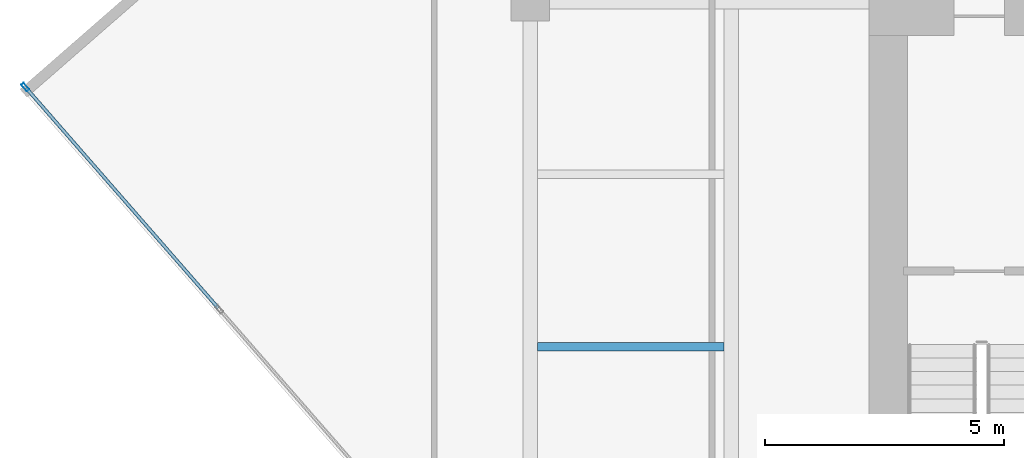
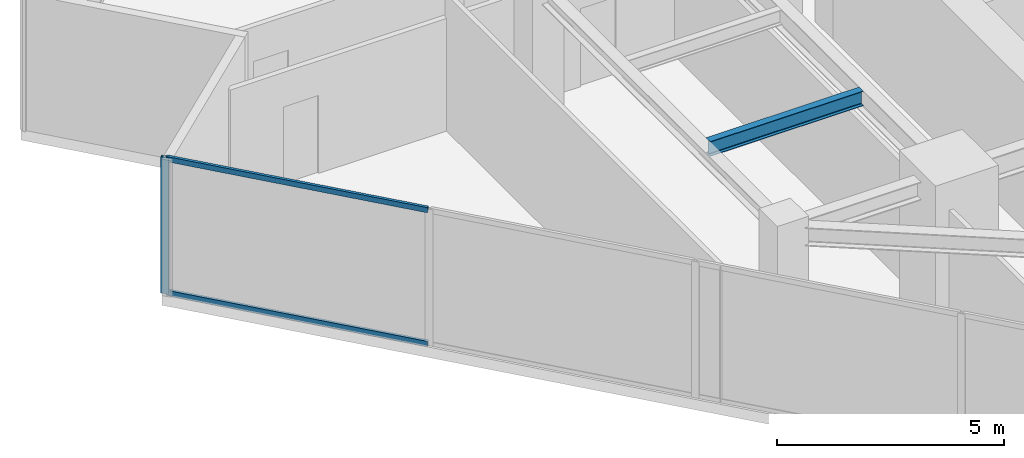
# One storey, part 5 of 24: 3 members, 1 beam, 1 element without a shape of its own.
"""IFC4 building model written with IfcOpenShell, lengths in metres."""

from ifc_helpers import new_model, si_unit, direction, frame, origin, origin_2d, place, context, subcontext, project, spatial, hollow_rectangle, i_section, extrude, source, transform, mapped, material, material_profile, profile_set, type_object, type_shapes, element, aggregate, save


model = new_model("IFC4")

# Units and contexts
model_context = context("Model", 3, precision=1e-05, world=origin(), true_north=direction((0.0, 1.0)))
body_context = subcontext(model_context, "Body", "Model", "MODEL_VIEW")
ifc_project = project(units=[si_unit("LENGTHUNIT", "METRE"), si_unit("AREAUNIT", "SQUARE_METRE"), si_unit("VOLUMEUNIT", "CUBIC_METRE"), si_unit("PLANEANGLEUNIT", "RADIAN"), si_unit("MASSUNIT", "GRAM", prefix="KILO")], contexts=[model_context])

# Site, building, storey
site_placement = place(None, origin())
site = spatial("IfcSite", under=ifc_project, at=site_placement, CompositionType="ELEMENT")
building_placement = place(site_placement, origin())
building = spatial("IfcBuilding", under=site, at=building_placement, Name="Krantzveldt Concourse Tower", CompositionType="ELEMENT")
storey_placement = place(building_placement, frame((0.0, 0.0, 254.699951171875)))
storey = spatial("IfcBuildingStorey", under=building, at=storey_placement, Name="L62", CompositionType="ELEMENT", Elevation=254.699951171875)

# Beam
ifc_material_1 = material(Name="Steel S355JR", Category="steel")
ifc_material_profile_1 = material_profile(ifc_material_1, i_section(OverallWidth=0.179931640625, OverallDepth=0.39990234375, WebThickness=0.008544921875, FlangeThickness=0.013427734375, FilletRadius=0.02099609375, at=origin_2d()), Name="Steel S355JR", Category="steel")
ifc_profile_set_1 = profile_set([ifc_material_profile_1], Name="Steel S355JR - IPE 400")
beam_type = type_object("IfcBeamType", Name="BM-J-IPE400", PredefinedType="JOIST", material=ifc_profile_set_1)
shared_shape_1 = source(origin(), body_context, "Body", "SweptSolid", [
    extrude(i_section(OverallWidth=0.179931640625, OverallDepth=0.39990234375, WebThickness=0.008544921875, FlangeThickness=0.013427734375, FilletRadius=0.02099609375, at=origin_2d()), origin(), (0.0, 0.0, 1.0), 3.900146484375),
])
type_shapes(beam_type, [shared_shape_1])
beam_placement = place(storey_placement, frame((21.14990234375, 19.5, 3.469970703125), z_axis=(1.0, 0.0, 0.0), x_axis=(0.0, 1.0, 0.0)))
element("IfcBeam", 1, at=beam_placement, inside=storey, type_object=beam_type, Name="L62 Secondary Floor Joist JW-1", PredefinedType="JOIST", context=body_context, shape_type="MappedRepresentation", body=[
    mapped(shared_shape_1, transform((0.0, 0.0, 0.0), x_axis=(1.0, 0.0, 0.0), y_axis=(0.0, 1.0, 0.0), z_axis=(0.0, 0.0, 1.0), scale=1.0)),
])

# Curtain wall, members
ifc_material_2 = material(Name="Anodised aluminium 6063-T6", Category="aluminium")
curtain_wall_type = type_object("IfcCurtainWallType", Name="CW3", PredefinedType="USERDEFINED", material=ifc_material_2)
curtain_wall_placement = place(storey_placement, origin())
curtain_wall = element("IfcCurtainWall", 2, at=curtain_wall_placement, inside=storey, type_object=curtain_wall_type, Name="CW-L62-F04", ObjectType="UNITISED CURTAIN WALL", PredefinedType="USERDEFINED")
ifc_material_profile_2 = material_profile(ifc_material_2, hollow_rectangle(XDim=0.070068359375, YDim=0.179931640625, WallThickness=0.0048828125, at=origin_2d()), Name="Anodised aluminium 6063-T6", Category="aluminium")
ifc_profile_set_2 = profile_set([ifc_material_profile_2], Name="Anodised aluminium 6063-T6 - ALU-MULL 180x70x5")
member_type_1 = type_object("IfcMemberType", Name="CW-MUL-180", PredefinedType="MULLION", material=ifc_profile_set_2)
shared_shape_2 = source(origin(), body_context, "Body", "SweptSolid", [
    extrude(hollow_rectangle(XDim=0.070068359375, YDim=0.179931640625, WallThickness=0.0048828125, at=origin_2d()), origin(), (0.0, 0.0, 1.0), 3.670166015625),
])
type_shapes(member_type_1, [shared_shape_2])
member_1_placement = place(storey_placement, frame((10.454345703125, 24.92578125, 0.0), z_axis=(0.0, 0.0, 1.0), x_axis=(0.753276529034, 0.657703938567, 0.0)))
member_1 = element("IfcMember", 3, at=member_1_placement, type_object=member_type_1, Name="CW-Z34 mullion 1", PredefinedType="MULLION", context=body_context, shape_type="MappedRepresentation", body=[
    mapped(shared_shape_2, transform((0.0, 0.0, 0.0), x_axis=(1.0, 0.0, 0.0), y_axis=(0.0, 1.0, 0.0), z_axis=(0.0, 0.0, 1.0), scale=1.0)),
])
ifc_material_profile_3 = material_profile(ifc_material_2, hollow_rectangle(XDim=0.070068359375, YDim=0.139892578125, WallThickness=0.0048828125, at=origin_2d()), Name="Anodised aluminium 6063-T6", Category="aluminium")
ifc_profile_set_3 = profile_set([ifc_material_profile_3], Name="Anodised aluminium 6063-T6 - ALU-TRAN 140x70x5")
member_type_2 = type_object("IfcMemberType", Name="CW-TRN-150", PredefinedType="USERDEFINED", material=ifc_profile_set_3)
shared_shape_3 = source(origin(), body_context, "Body", "SweptSolid", [
    extrude(hollow_rectangle(XDim=0.070068359375, YDim=0.139892578125, WallThickness=0.0048828125, at=origin_2d()), origin(), (0.0, 0.0, 1.0), 6.094970703125),
])
type_shapes(member_type_2, [shared_shape_3])
member_2_placement = place(storey_placement, frame((10.477294921875, 24.8994140625, 0.03515625), z_axis=(0.657681823072, -0.753295838035, 0.0), x_axis=(0.753295838035, 0.657681823072, 0.0)))
member_2 = element("IfcMember", 4, at=member_2_placement, type_object=member_type_2, Name="CW-Z34 transom 1.1", ObjectType="TRANSOM", PredefinedType="USERDEFINED", context=body_context, shape_type="MappedRepresentation", body=[
    mapped(shared_shape_3, transform((0.0, 0.0, 0.0), x_axis=(1.0, 0.0, 0.0), y_axis=(0.0, 1.0, 0.0), z_axis=(0.0, 0.0, 1.0), scale=1.0)),
])
member_3_placement = place(storey_placement, frame((10.477294921875, 24.8994140625, 3.635009765625), z_axis=(0.657681823072, -0.753295838035, 0.0), x_axis=(0.753295838035, 0.657681823072, 0.0)))
member_3 = element("IfcMember", 5, at=member_3_placement, type_object=member_type_2, Name="CW-Z34 transom 1.2", ObjectType="TRANSOM", PredefinedType="USERDEFINED", context=body_context, shape_type="MappedRepresentation", body=[
    mapped(shared_shape_3, transform((0.0, 0.0, 0.0), x_axis=(1.0, 0.0, 0.0), y_axis=(0.0, 1.0, 0.0), z_axis=(0.0, 0.0, 1.0), scale=1.0)),
])
aggregate(curtain_wall, [member_1, member_2, member_3])

save(model, "model.ifc")
